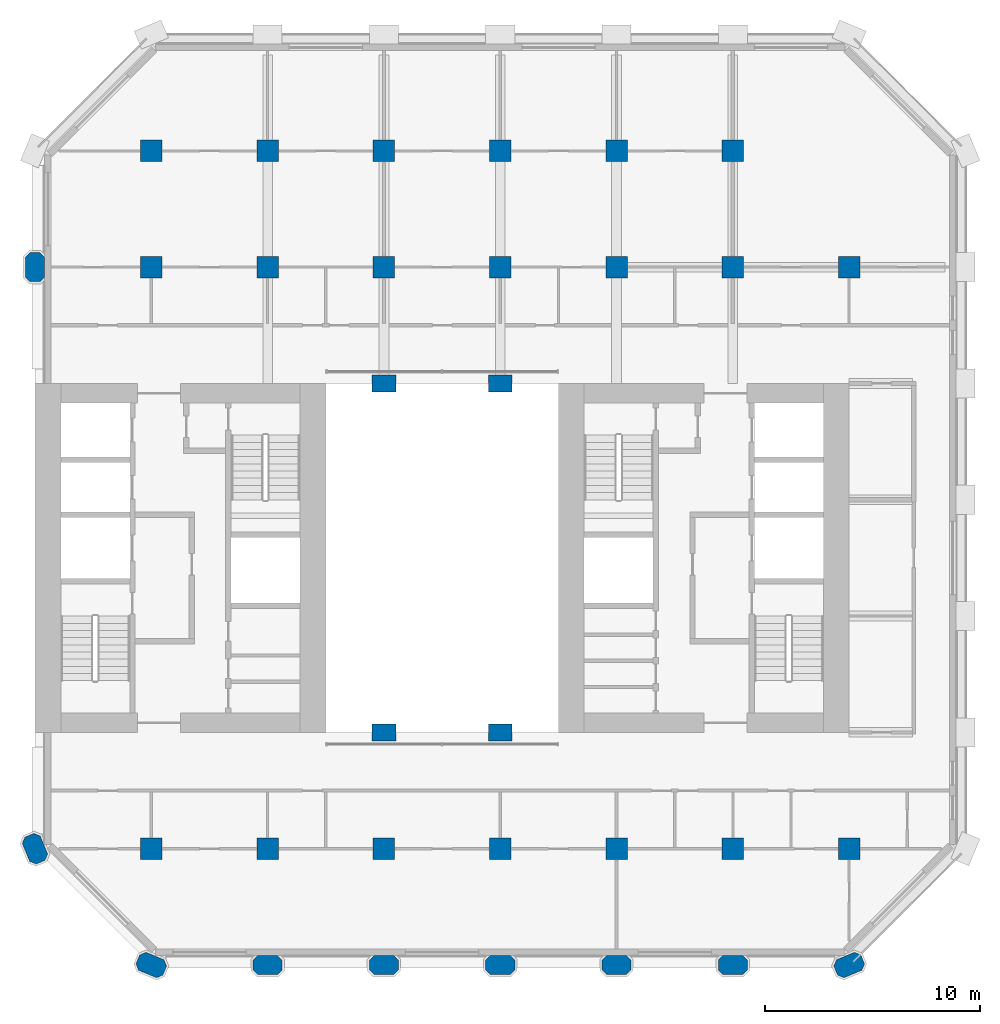
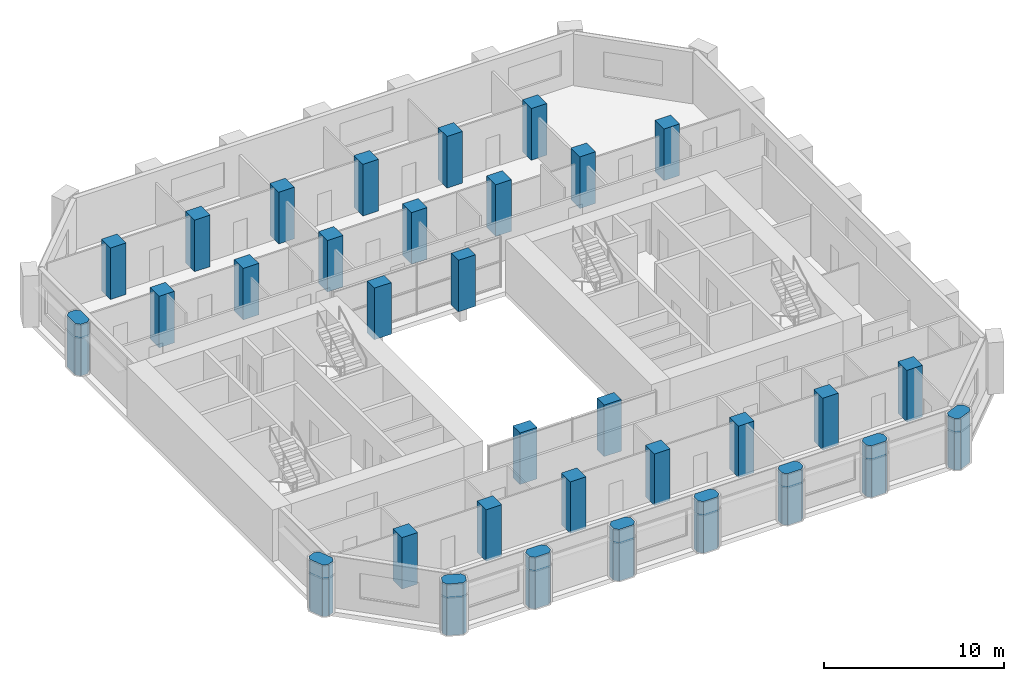
# One storey, part 1 of 11: 33 columns.
"""IFC4 building model written with IfcOpenShell, lengths in metres."""

from ifc_helpers import new_model, si_unit, direction, frame, origin, origin_2d, place, context, subcontext, project, spatial, polyline, rectangle, outline, extrude, material, material_profile, profile_set, type_object, element, save


model = new_model("IFC4")

# Units and contexts
model_context = context("Model", 3, precision=1e-05, world=origin(), true_north=direction((0.0, 1.0)))
body_context = subcontext(model_context, "Body", "Model", "MODEL_VIEW")
ifc_project = project(units=[si_unit("LENGTHUNIT", "METRE"), si_unit("AREAUNIT", "SQUARE_METRE"), si_unit("VOLUMEUNIT", "CUBIC_METRE"), si_unit("PLANEANGLEUNIT", "RADIAN"), si_unit("MASSUNIT", "GRAM", prefix="KILO")], contexts=[model_context])

# Site, building, storey
site_placement = place(None, origin())
site = spatial("IfcSite", under=ifc_project, at=site_placement, CompositionType="ELEMENT")
building_placement = place(site_placement, origin())
building = spatial("IfcBuilding", under=site, at=building_placement, Name="Tabaq Tower and Sports Hall", CompositionType="ELEMENT")
storey_placement = place(building_placement, frame((0.0, 0.0, 80.199951171875)))
storey = spatial("IfcBuildingStorey", under=building, at=storey_placement, Name="L18", CompositionType="ELEMENT", Elevation=80.199951171875)

# Columns
ifc_material_1 = material(Name="Concrete C60/75", Category="concrete")
ifc_material_profile_1 = material_profile(ifc_material_1, rectangle(XDim=1.10009765625, YDim=0.800048828125, at=origin_2d()), Name="ATRIUM COLUMN 1100x800")
ifc_profile_set_1 = profile_set([ifc_material_profile_1], Name="Concrete C60/75")
column_type_1 = type_object("IfcColumnType", Name="RC COLUMN ATRIUM COLUMN 1100x800 C60/75", PredefinedType="COLUMN", material=ifc_profile_set_1)
for number, where, z_axis, x_axis, name in (
    (1, (21.60009765625, 16.199951171875, 0.0), (0.0, 0.0, 1.0), (1.0, 0.0, 0.0), "Atrium Column 5/D L18"),
    (2, (27.0, 16.199951171875, 0.0), (0.0, 0.0, 1.0), (1.0, 0.0, 0.0), "Atrium Column 6/D L18"),
    (3, (21.60009765625, 32.39990234375, 0.0), (0.0, 0.0, 1.0), (1.0, 0.0, 0.0), "Atrium Column 5/G L18"),
    (4, (27.0, 32.39990234375, 0.0), (0.0, 0.0, 1.0), (1.0, 0.0, 0.0), "Atrium Column 6/G L18"),
):
    element("IfcColumn", number, at=place(storey_placement, frame(where, z_axis=z_axis, x_axis=x_axis)), inside=storey, type_object=column_type_1, Name=name, PredefinedType="COLUMN", context=body_context, shape_type="SweptSolid", body=[
        extrude(rectangle(XDim=1.10009765625, YDim=0.800048828125, at=origin_2d()), origin(), (0.0, 0.0, 1.0), 3.5),
    ])
ifc_material_2 = material(Name="Concrete C60/75", Category="concrete")
ifc_material_profile_2 = material_profile(ifc_material_2, rectangle(XDim=1.0, YDim=1.0, at=origin_2d()), Name="COLUMN 1000x1000")
ifc_profile_set_2 = profile_set([ifc_material_profile_2], Name="Concrete C60/75")
column_type_2 = type_object("IfcColumnType", Name="RC COLUMN COLUMN 1000x1000 C60/75", PredefinedType="COLUMN", material=ifc_profile_set_2)
for number, where, z_axis, x_axis, name in (
    (5, (10.800048828125, 10.800048828125, 0.0), (0.0, 0.0, 1.0), (1.0, 0.0, 0.0), "Column 3/C L18"),
    (6, (16.199951171875, 10.800048828125, 0.0), (0.0, 0.0, 1.0), (1.0, 0.0, 0.0), "Column 4/C L18"),
    (7, (21.60009765625, 10.800048828125, 0.0), (0.0, 0.0, 1.0), (1.0, 0.0, 0.0), "Column 5/C L18"),
    (8, (27.0, 10.800048828125, 0.0), (0.0, 0.0, 1.0), (1.0, 0.0, 0.0), "Column 6/C L18"),
    (9, (32.39990234375, 10.800048828125, 0.0), (0.0, 0.0, 1.0), (1.0, 0.0, 0.0), "Column 7/C L18"),
    (10, (37.800048828125, 10.800048828125, 0.0), (0.0, 0.0, 1.0), (1.0, 0.0, 0.0), "Column 8/C L18"),
    (11, (43.199951171875, 10.800048828125, 0.0), (0.0, 0.0, 1.0), (1.0, 0.0, 0.0), "Column 9/C L18"),
    (12, (10.800048828125, 37.800048828125, 0.0), (0.0, 0.0, 1.0), (1.0, 0.0, 0.0), "Column 3/H L18"),
    (13, (16.199951171875, 37.800048828125, 0.0), (0.0, 0.0, 1.0), (1.0, 0.0, 0.0), "Column 4/H L18"),
    (14, (21.60009765625, 37.800048828125, 0.0), (0.0, 0.0, 1.0), (1.0, 0.0, 0.0), "Column 5/H L18"),
    (15, (27.0, 37.800048828125, 0.0), (0.0, 0.0, 1.0), (1.0, 0.0, 0.0), "Column 6/H L18"),
    (16, (32.39990234375, 37.800048828125, 0.0), (0.0, 0.0, 1.0), (1.0, 0.0, 0.0), "Column 7/H L18"),
    (17, (37.800048828125, 37.800048828125, 0.0), (0.0, 0.0, 1.0), (1.0, 0.0, 0.0), "Column 8/H L18"),
    (18, (43.199951171875, 37.800048828125, 0.0), (0.0, 0.0, 1.0), (1.0, 0.0, 0.0), "Column 9/H L18"),
    (19, (10.800048828125, 43.199951171875, 0.0), (0.0, 0.0, 1.0), (1.0, 0.0, 0.0), "Column 3/I L18"),
    (20, (16.199951171875, 43.199951171875, 0.0), (0.0, 0.0, 1.0), (1.0, 0.0, 0.0), "Column 4/I L18"),
    (21, (21.60009765625, 43.199951171875, 0.0), (0.0, 0.0, 1.0), (1.0, 0.0, 0.0), "Column 5/I L18"),
    (22, (27.0, 43.199951171875, 0.0), (0.0, 0.0, 1.0), (1.0, 0.0, 0.0), "Column 6/I L18"),
    (23, (32.39990234375, 43.199951171875, 0.0), (0.0, 0.0, 1.0), (1.0, 0.0, 0.0), "Column 7/I L18"),
    (24, (37.800048828125, 43.199951171875, 0.0), (0.0, 0.0, 1.0), (1.0, 0.0, 0.0), "Column 8/I L18"),
):
    element("IfcColumn", number, at=place(storey_placement, frame(where, z_axis=z_axis, x_axis=x_axis)), inside=storey, type_object=column_type_2, Name=name, PredefinedType="COLUMN", context=body_context, shape_type="SweptSolid", body=[
        extrude(rectangle(XDim=1.0, YDim=1.0, at=origin_2d()), origin(), (0.0, 0.0, 1.0), 3.5),
    ])
ifc_material_3 = material(Name="Concrete C60/75", Category="concrete")
ifc_material_profile_3 = material_profile(ifc_material_3, outline(polyline([(-0.449951171875, -0.449951171875), (0.449951171875, -0.449951171875), (0.675048828125, -0.22509765625), (0.675048828125, 0.22509765625), (0.449951171875, 0.449951171875), (-0.449951171875, 0.449951171875), (-0.675048828125, 0.22509765625), (-0.675048828125, -0.22509765625), (-0.449951171875, -0.449951171875)])), Name="PIER 1350x900")
ifc_profile_set_3 = profile_set([ifc_material_profile_3], Name="Concrete C60/75")
column_type_3 = type_object("IfcColumnType", Name="RC COLUMN PIER 1350x900 C60/75", PredefinedType="COLUMN", material=ifc_profile_set_3)
for number, where, z_axis, x_axis, name in (
    (25, (10.800048828125, 5.39990234375, 0.0), (0.0, 0.0, 1.0), (-0.923879532511, 0.382683432365, 0.0), "Pier 3/B L18"),
    (26, (16.199951171875, 5.39990234375, 0.0), (0.0, 0.0, 1.0), (1.0, 0.0, 0.0), "Pier 4/B L18"),
    (27, (21.60009765625, 5.39990234375, 0.0), (0.0, 0.0, 1.0), (1.0, 0.0, 0.0), "Pier 5/B L18"),
    (28, (27.0, 5.39990234375, 0.0), (0.0, 0.0, 1.0), (1.0, 0.0, 0.0), "Pier 6/B L18"),
    (29, (32.39990234375, 5.39990234375, 0.0), (0.0, 0.0, 1.0), (1.0, 0.0, 0.0), "Pier 7/B L18"),
    (30, (37.800048828125, 5.39990234375, 0.0), (0.0, 0.0, 1.0), (1.0, 0.0, 0.0), "Pier 8/B L18"),
    (31, (43.199951171875, 5.39990234375, 0.0), (0.0, 0.0, 1.0), (0.923879532511, 0.382683432365, 0.0), "Pier 9/B L18"),
    (32, (5.39990234375, 10.800048828125, 0.0), (0.0, 0.0, 1.0), (-0.382683432365, 0.923879532511, 0.0), "Pier 2/C L18"),
    (33, (5.39990234375, 37.800048828125, 0.0), (0.0, 0.0, 1.0), (0.0, 1.0, 0.0), "Pier 2/H L18"),
):
    element("IfcColumn", number, at=place(storey_placement, frame(where, z_axis=z_axis, x_axis=x_axis)), inside=storey, type_object=column_type_3, Name=name, PredefinedType="COLUMN", context=body_context, shape_type="SweptSolid", body=[
        extrude(outline(polyline([(-0.449951171875, -0.449951171875), (0.449951171875, -0.449951171875), (0.675048828125, -0.22509765625), (0.675048828125, 0.22509765625), (0.449951171875, 0.449951171875), (-0.449951171875, 0.449951171875), (-0.675048828125, 0.22509765625), (-0.675048828125, -0.22509765625), (-0.449951171875, -0.449951171875)])), origin(), (0.0, 0.0, 1.0), 3.5),
    ])

save(model, "model.ifc")
